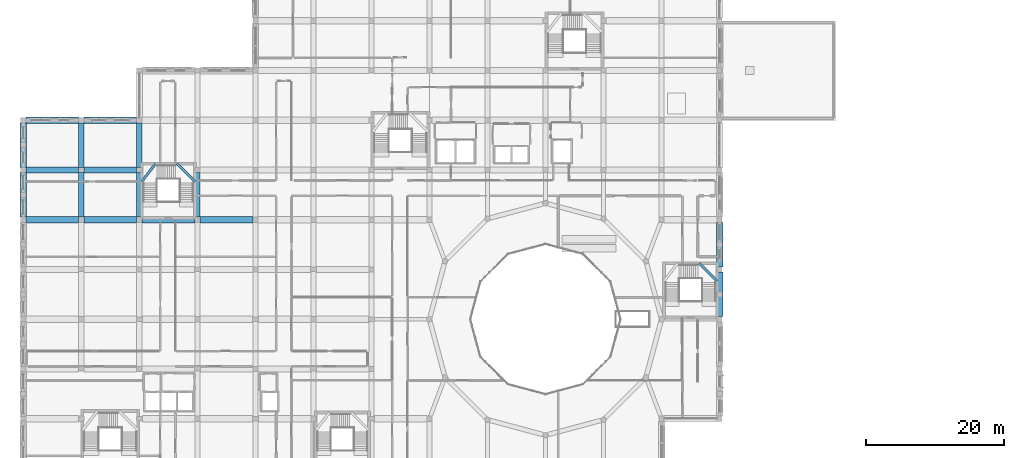
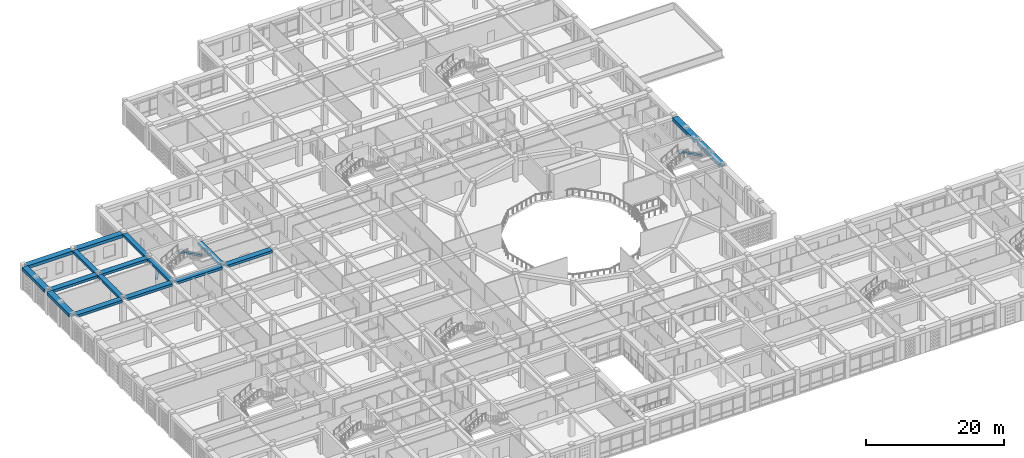
# One storey, part 37 of 121: 20 beams.
"""IFC4 building model written with IfcOpenShell, lengths in metres."""

from ifc_helpers import new_model, si_unit, derived_unit, direction, frame, origin, origin_2d, place, context, subcontext, project, spatial, rectangle, extrude, material, material_profile, profile_set, type_object, element, save


model = new_model("IFC4")

# Units and contexts
model_context = context("Model", 3, precision=1e-05, world=origin(), true_north=direction((0.0, 1.0)))
body_context = subcontext(model_context, "Body", "Model", "MODEL_VIEW")
ifc_project = project(units=[si_unit("LENGTHUNIT", "METRE"), si_unit("AREAUNIT", "SQUARE_METRE"), si_unit("VOLUMEUNIT", "CUBIC_METRE"), si_unit("PLANEANGLEUNIT", "RADIAN"), si_unit("MASSUNIT", "GRAM", prefix="KILO"), derived_unit("THERMALTRANSMITTANCEUNIT", [(si_unit("POWERUNIT", "WATT"), 1), (si_unit("LENGTHUNIT", "METRE"), -2), (si_unit("THERMODYNAMICTEMPERATUREUNIT", "KELVIN"), -1)])], contexts=[model_context])

# Site, building, storey
site_placement = place(None, origin())
site = spatial("IfcSite", under=ifc_project, at=site_placement, CompositionType="ELEMENT")
building_placement = place(site_placement, origin())
building = spatial("IfcBuilding", under=site, at=building_placement, Name="Veybourne Emporium", CompositionType="ELEMENT")
storey_placement = place(building_placement, frame((0.0, 0.0, 5.39990234375)))
storey = spatial("IfcBuildingStorey", under=building, at=storey_placement, Name="L01", CompositionType="ELEMENT", Elevation=5.39990234375)

# Beams
ifc_material = material(Name="Concrete C32/40", Category="concrete")
ifc_material_profile_1 = material_profile(ifc_material, rectangle(XDim=0.35009765625, YDim=0.35009765625, at=origin_2d()), Name="RC 350x350")
ifc_profile_set_1 = profile_set([ifc_material_profile_1], Name="Concrete C32/40")
beam_type_1 = type_object("IfcBeamType", Name="LandingBeam_LB-01", PredefinedType="BEAM", material=ifc_profile_set_1)
beam_1_placement = place(storey_placement, frame((97.8701171875, 58.5, 2.625), z_axis=(0.707073323722, -0.707140237068, 0.0), x_axis=(0.707140237068, 0.707073323722, 0.0)))
element("IfcBeam", 1, at=beam_1_placement, inside=storey, type_object=beam_type_1, Name="L01 ST-07 landing 2 support beam", PredefinedType="BEAM", context=body_context, shape_type="SweptSolid", body=[
    extrude(rectangle(XDim=0.35009765625, YDim=0.35009765625, at=origin_2d()), origin(), (0.0, 0.0, 1.0), 3.648681640625),
])
beam_2_placement = place(storey_placement, frame((17.14990234375, 70.320068359375, 1.125), z_axis=(0.608839661171, 0.793293304513, 0.0), x_axis=(-0.793293304513, 0.608839661171, 0.0)))
element("IfcBeam", 2, at=beam_2_placement, inside=storey, type_object=beam_type_1, Name="L01 ST-08 landing 1 support beam", PredefinedType="BEAM", context=body_context, shape_type="SweptSolid", body=[
    extrude(rectangle(XDim=0.35009765625, YDim=0.35009765625, at=origin_2d()), origin(), (0.0, 0.0, 1.0), 3.251953125),
])
beam_3_placement = place(storey_placement, frame((22.27001953125, 72.89990234375, 2.625), z_axis=(0.707140237068, -0.707073323722, 0.0), x_axis=(0.707073323722, 0.707140237068, 0.0)))
element("IfcBeam", 3, at=beam_3_placement, inside=storey, type_object=beam_type_1, Name="L01 ST-08 landing 2 support beam", PredefinedType="BEAM", context=body_context, shape_type="SweptSolid", body=[
    extrude(rectangle(XDim=0.35009765625, YDim=0.35009765625, at=origin_2d()), origin(), (0.0, 0.0, 1.0), 3.648681640625),
])
ifc_material_profile_2 = material_profile(ifc_material, rectangle(XDim=0.89990234375, YDim=0.449951171875, at=origin_2d()), Name="RC 900x450")
ifc_profile_set_2 = profile_set([ifc_material_profile_2], Name="Concrete C32/40")
beam_type_2 = type_object("IfcBeamType", Name="RCBeam_BB-03", PredefinedType="BEAM", material=ifc_profile_set_2)
for number, where, z_axis, x_axis, name in (
    (4, (0.375, 64.800048828125, 3.955078125), (1.0, 0.0, 0.0), (0.0, 1.0, 0.0), "L01 X-grid beam BB-03 (0,9)"),
    (5, (0.375, 72.0, 3.955078125), (1.0, 0.0, 0.0), (0.0, 1.0, 0.0), "L01 X-grid beam BB-03 (0,10)"),
):
    element("IfcBeam", number, at=place(storey_placement, frame(where, z_axis=z_axis, x_axis=x_axis)), inside=storey, type_object=beam_type_2, Name=name, PredefinedType="BEAM", context=body_context, shape_type="SweptSolid", body=[
        extrude(rectangle(XDim=0.89990234375, YDim=0.449951171875, at=origin_2d()), origin(), (0.0, 0.0, 1.0), 7.64990234375),
    ])
for number, where, z_axis, x_axis, name in (
    (6, (8.77490234375, 64.800048828125, 3.955078125), (1.0, 0.0, 0.0), (0.0, 1.0, 0.0), "L01 X-grid beam BB-03 (1,9)"),
    (7, (8.77490234375, 72.0, 3.955078125), (1.0, 0.0, 0.0), (0.0, 1.0, 0.0), "L01 X-grid beam BB-03 (1,10)"),
):
    element("IfcBeam", number, at=place(storey_placement, frame(where, z_axis=z_axis, x_axis=x_axis)), inside=storey, type_object=beam_type_2, Name=name, PredefinedType="BEAM", context=body_context, shape_type="SweptSolid", body=[
        extrude(rectangle(XDim=0.89990234375, YDim=0.449951171875, at=origin_2d()), origin(), (0.0, 0.0, 1.0), 7.650146484375),
    ])
beam_4_placement = place(storey_placement, frame((17.175048828125, 64.800048828125, 3.955078125), z_axis=(1.0, 0.0, 0.0), x_axis=(0.0, 1.0, 0.0)))
element("IfcBeam", 8, at=beam_4_placement, inside=storey, type_object=beam_type_2, Name="L01 X-grid beam BB-03 (2,9)", PredefinedType="BEAM", context=body_context, shape_type="SweptSolid", body=[
    extrude(rectangle(XDim=0.89990234375, YDim=0.449951171875, at=origin_2d()), origin(), (0.0, 0.0, 1.0), 7.64990234375),
])
beam_5_placement = place(storey_placement, frame((25.574951171875, 64.800048828125, 3.955078125), z_axis=(1.0, 0.0, 0.0), x_axis=(0.0, 1.0, 0.0)))
element("IfcBeam", 9, at=beam_5_placement, inside=storey, type_object=beam_type_2, Name="L01 X-grid beam BB-03 (3,9)", PredefinedType="BEAM", context=body_context, shape_type="SweptSolid", body=[
    extrude(rectangle(XDim=0.89990234375, YDim=0.449951171875, at=origin_2d()), origin(), (0.0, 0.0, 1.0), 7.650146484375),
])
ifc_material_profile_3 = material_profile(ifc_material, rectangle(XDim=0.75, YDim=0.449951171875, at=origin_2d()), Name="RC 750x450")
ifc_profile_set_3 = profile_set([ifc_material_profile_3], Name="Concrete C32/40")
beam_type_3 = type_object("IfcBeamType", Name="RCBeam_BB-04", PredefinedType="BEAM", material=ifc_profile_set_3)
for number, where, z_axis, x_axis, name in (
    (10, (8.39990234375, 65.175048828125, 3.955078125), (0.0, 1.0, 0.0), (-1.0, 0.0, 0.0), "L01 Y-grid beam BB-04 (1,9)"),
    (11, (8.39990234375, 72.375, 3.955078125), (0.0, 1.0, 0.0), (-1.0, 0.0, 0.0), "L01 Y-grid beam BB-04 (1,10)"),
    (12, (16.800048828125, 65.175048828125, 3.955078125), (0.0, 1.0, 0.0), (-1.0, 0.0, 0.0), "L01 Y-grid beam BB-04 (2,9)"),
    (13, (16.800048828125, 72.375, 3.955078125), (0.0, 1.0, 0.0), (-1.0, 0.0, 0.0), "L01 Y-grid beam BB-04 (2,10)"),
    (14, (25.199951171875, 65.175048828125, 3.955078125), (0.0, 1.0, 0.0), (-1.0, 0.0, 0.0), "L01 Y-grid beam BB-04 (3,9)"),
):
    element("IfcBeam", number, at=place(storey_placement, frame(where, z_axis=z_axis, x_axis=x_axis)), inside=storey, type_object=beam_type_3, Name=name, PredefinedType="BEAM", context=body_context, shape_type="SweptSolid", body=[
        extrude(rectangle(XDim=0.75, YDim=0.449951171875, at=origin_2d()), origin(), (0.0, 0.0, 1.0), 6.449951171875),
    ])
ifc_material_profile_4 = material_profile(ifc_material, rectangle(XDim=0.949951171875, YDim=0.550048828125, at=origin_2d()), Name="RC 950x550")
ifc_profile_set_4 = profile_set([ifc_material_profile_4], Name="Concrete C32/40")
beam_type_4 = type_object("IfcBeamType", Name="RCBeam_EB-01", PredefinedType="SPANDREL", material=ifc_profile_set_4)
beam_6_placement = place(storey_placement, frame((0.375, 79.199951171875, 3.905029296875), z_axis=(1.0, 0.0, 0.0), x_axis=(0.0, 1.0, 0.0)))
element("IfcBeam", 15, at=beam_6_placement, inside=storey, type_object=beam_type_4, Name="L01 X-grid beam EB-01 (0,11)", PredefinedType="SPANDREL", context=body_context, shape_type="SweptSolid", body=[
    extrude(rectangle(XDim=0.949951171875, YDim=0.550048828125, at=origin_2d()), origin(), (0.0, 0.0, 1.0), 7.64990234375),
])
beam_7_placement = place(storey_placement, frame((8.77490234375, 79.199951171875, 3.905029296875), z_axis=(1.0, 0.0, 0.0), x_axis=(0.0, 1.0, 0.0)))
element("IfcBeam", 16, at=beam_7_placement, inside=storey, type_object=beam_type_4, Name="L01 X-grid beam EB-01 (1,11)", PredefinedType="SPANDREL", context=body_context, shape_type="SweptSolid", body=[
    extrude(rectangle(XDim=0.949951171875, YDim=0.550048828125, at=origin_2d()), origin(), (0.0, 0.0, 1.0), 7.650146484375),
])
for number, where, z_axis, x_axis, name in (
    (17, (0.0, 65.175048828125, 3.905029296875), (0.0, 1.0, 0.0), (-1.0, 0.0, 0.0), "L01 Y-grid beam EB-01 (0,9)"),
    (18, (0.0, 72.375, 3.905029296875), (0.0, 1.0, 0.0), (-1.0, 0.0, 0.0), "L01 Y-grid beam EB-01 (0,10)"),
):
    element("IfcBeam", number, at=place(storey_placement, frame(where, z_axis=z_axis, x_axis=x_axis)), inside=storey, type_object=beam_type_4, Name=name, PredefinedType="SPANDREL", context=body_context, shape_type="SweptSolid", body=[
        extrude(rectangle(XDim=0.949951171875, YDim=0.550048828125, at=origin_2d()), origin(), (0.0, 0.0, 1.0), 6.449951171875),
    ])
beam_8_placement = place(storey_placement, frame((100.800048828125, 50.77490234375, 3.905029296875), z_axis=(0.0, 1.0, 0.0), x_axis=(-1.0, 0.0, 0.0)))
element("IfcBeam", 19, at=beam_8_placement, inside=storey, type_object=beam_type_4, Name="L01 Y-grid beam EB-01 (12,7)", PredefinedType="SPANDREL", context=body_context, shape_type="SweptSolid", body=[
    extrude(rectangle(XDim=0.949951171875, YDim=0.550048828125, at=origin_2d()), origin(), (0.0, 0.0, 1.0), 6.4501953125),
])
beam_9_placement = place(storey_placement, frame((100.800048828125, 57.97509765625, 3.905029296875), z_axis=(0.0, 1.0, 0.0), x_axis=(-1.0, 0.0, 0.0)))
element("IfcBeam", 20, at=beam_9_placement, inside=storey, type_object=beam_type_4, Name="L01 Y-grid beam EB-01 (12,8)", PredefinedType="SPANDREL", context=body_context, shape_type="SweptSolid", body=[
    extrude(rectangle(XDim=0.949951171875, YDim=0.550048828125, at=origin_2d()), origin(), (0.0, 0.0, 1.0), 6.449951171875),
])

save(model, "model.ifc")
